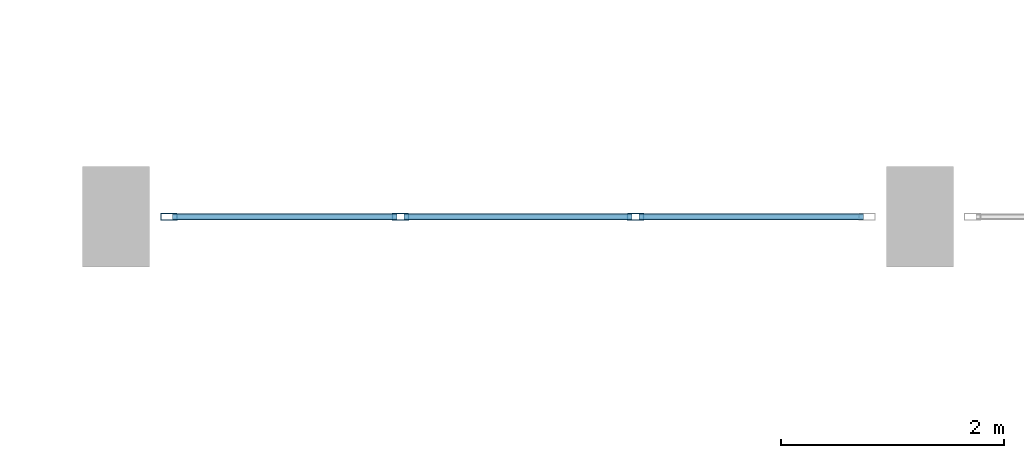
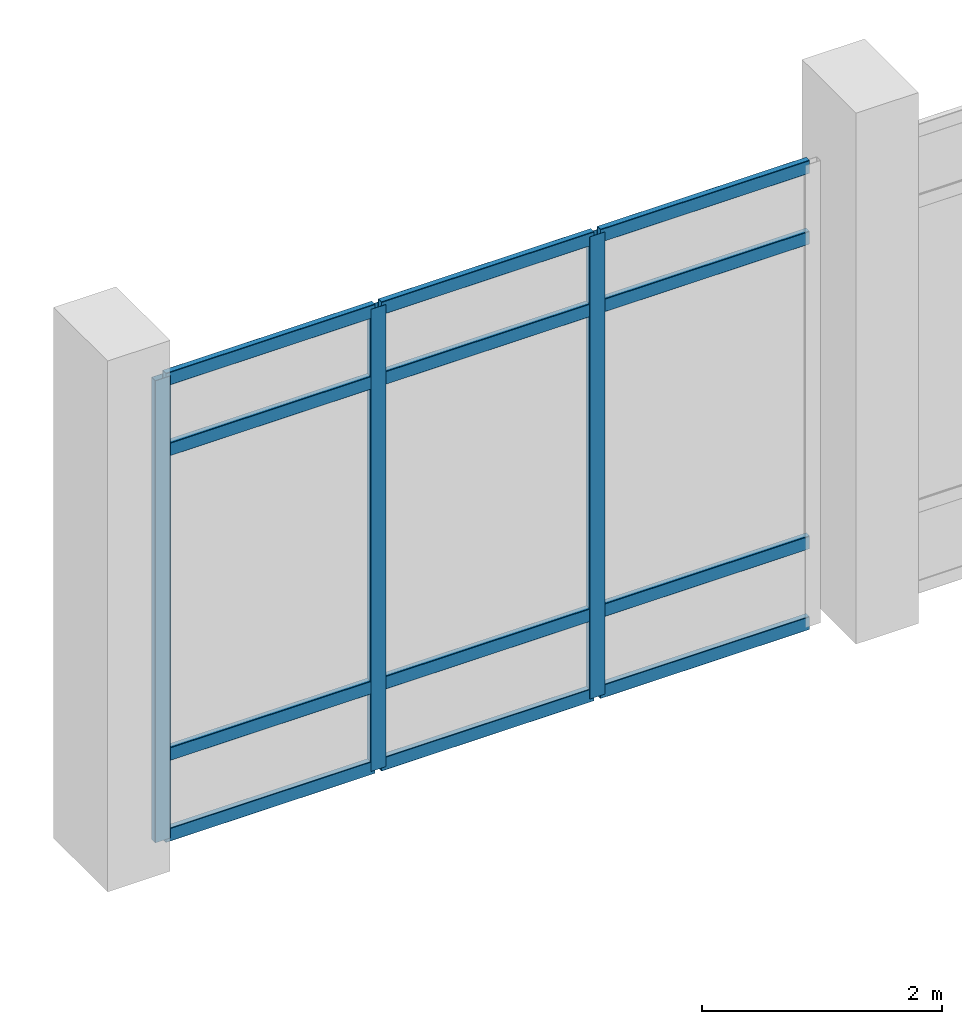
# One storey, part 51 of 180: 15 members, 1 element without a shape of its own.
"""IFC4 building model written with IfcOpenShell, lengths in metres."""

from ifc_helpers import new_model, si_unit, direction, frame, origin, origin_2d, place, context, subcontext, project, spatial, hollow_rectangle, extrude, material, material_profile, profile_set, type_object, element, aggregate, save


model = new_model("IFC4")

# Units and contexts
model_context = context("Model", 3, precision=1e-05, world=origin(), true_north=direction((0.0, 1.0)))
body_context = subcontext(model_context, "Body", "Model", "MODEL_VIEW")
ifc_project = project(units=[si_unit("LENGTHUNIT", "METRE"), si_unit("AREAUNIT", "SQUARE_METRE"), si_unit("VOLUMEUNIT", "CUBIC_METRE"), si_unit("PLANEANGLEUNIT", "RADIAN"), si_unit("MASSUNIT", "GRAM", prefix="KILO")], contexts=[model_context])

# Site, building, storey
site_placement = place(None, origin())
site = spatial("IfcSite", under=ifc_project, at=site_placement, CompositionType="ELEMENT")
building_placement = place(site_placement, origin())
building = spatial("IfcBuilding", under=site, at=building_placement, Name="Lusvemor Sports Hall", CompositionType="ELEMENT")
storey_placement = place(building_placement, frame((0.0, 0.0, 5.39990234375)))
storey = spatial("IfcBuildingStorey", under=building, at=storey_placement, Name="L01", CompositionType="ELEMENT", Elevation=5.39990234375)

# Curtain wall, members
ifc_material_1 = material(Name="Thermally broken bronze-anodized aluminium", Category="aluminium")
curtain_wall_type = type_object("IfcCurtainWallType", Name="CW_COURT_C", PredefinedType="NOTDEFINED", material=ifc_material_1)
curtain_wall_placement = place(storey_placement, origin())
curtain_wall = element("IfcCurtainWall", 1, at=curtain_wall_placement, inside=storey, type_object=curtain_wall_type, Name="Curtain Wall CW-V2N-L01-0", PredefinedType="NOTDEFINED")
ifc_material_2 = material(Name="Thermally broken bronze-anodized aluminium", Category="aluminium")
ifc_material_profile_1 = material_profile(ifc_material_2, hollow_rectangle(XDim=0.06494140625, YDim=0.14990234375, WallThickness=0.00390625, InnerFilletRadius=0.00390625, OuterFilletRadius=0.008056640625, at=origin_2d()), Name="CWMUL150x65x4")
ifc_profile_set_1 = profile_set([ifc_material_profile_1], Name="Thermally broken bronze-anodized aluminium")
member_type_1 = type_object("IfcMemberType", Name="CW_MUL_B", PredefinedType="MULLION", material=ifc_profile_set_1)
member_1_placement = place(storey_placement, frame((119.2724609375, 39.60009765625, 0.0), z_axis=(0.0, 0.0, 1.0), x_axis=(0.0, 1.0, 0.0)))
member_1 = element("IfcMember", 2, at=member_1_placement, type_object=member_type_1, Name="CW03 mullion 1", PredefinedType="MULLION", context=body_context, shape_type="SweptSolid", body=[
    extrude(hollow_rectangle(XDim=0.06494140625, YDim=0.14990234375, WallThickness=0.00390625, InnerFilletRadius=0.00390625, OuterFilletRadius=0.008056640625, at=origin_2d()), origin(), (0.0, 0.0, 1.0), 4.7001953125),
])
member_2_placement = place(storey_placement, frame((121.3466796875, 39.60009765625, 0.0), z_axis=(0.0, 0.0, 1.0), x_axis=(0.0, 1.0, 0.0)))
member_2 = element("IfcMember", 3, at=member_2_placement, type_object=member_type_1, Name="CW03 mullion 2", PredefinedType="MULLION", context=body_context, shape_type="SweptSolid", body=[
    extrude(hollow_rectangle(XDim=0.06494140625, YDim=0.14990234375, WallThickness=0.00390625, InnerFilletRadius=0.00390625, OuterFilletRadius=0.008056640625, at=origin_2d()), origin(), (0.0, 0.0, 1.0), 4.7001953125),
])
member_3_placement = place(storey_placement, frame((123.453369140625, 39.60009765625, 0.0), z_axis=(0.0, 0.0, 1.0), x_axis=(0.0, 1.0, 0.0)))
member_3 = element("IfcMember", 4, at=member_3_placement, type_object=member_type_1, Name="CW03 mullion 3", PredefinedType="MULLION", context=body_context, shape_type="SweptSolid", body=[
    extrude(hollow_rectangle(XDim=0.06494140625, YDim=0.14990234375, WallThickness=0.00390625, InnerFilletRadius=0.00390625, OuterFilletRadius=0.008056640625, at=origin_2d()), origin(), (0.0, 0.0, 1.0), 4.7001953125),
])
ifc_material_3 = material(Name="Thermally broken bronze-anodized aluminium", Category="aluminium")
ifc_material_profile_2 = material_profile(ifc_material_3, hollow_rectangle(XDim=0.06005859375, YDim=0.135009765625, WallThickness=0.00390625, InnerFilletRadius=0.00390625, OuterFilletRadius=0.008056640625, at=origin_2d()), Name="CWTRN135x60x4")
ifc_profile_set_2 = profile_set([ifc_material_profile_2], Name="Thermally broken bronze-anodized aluminium")
member_type_2 = type_object("IfcMemberType", Name="CW_TRN_B", PredefinedType="USERDEFINED", material=ifc_profile_set_2)
member_4_placement = place(storey_placement, frame((119.304931640625, 39.60009765625, 0.030029296875), z_axis=(1.0, 0.0, 0.0), x_axis=(0.0, 1.0, 0.0)))
member_4 = element("IfcMember", 5, at=member_4_placement, type_object=member_type_2, Name="CW03 transom 1.1", ObjectType="TRANSOM", PredefinedType="USERDEFINED", context=body_context, shape_type="SweptSolid", body=[
    extrude(hollow_rectangle(XDim=0.06005859375, YDim=0.135009765625, WallThickness=0.00390625, InnerFilletRadius=0.00390625, OuterFilletRadius=0.008056640625, at=origin_2d()), origin(), (0.0, 0.0, 1.0), 2.00927734375),
])
member_5_placement = place(storey_placement, frame((119.304931640625, 39.60009765625, 0.85009765625), z_axis=(1.0, 0.0, 0.0), x_axis=(0.0, 1.0, 0.0)))
member_5 = element("IfcMember", 6, at=member_5_placement, type_object=member_type_2, Name="CW03 transom 1.2", ObjectType="TRANSOM", PredefinedType="USERDEFINED", context=body_context, shape_type="SweptSolid", body=[
    extrude(hollow_rectangle(XDim=0.06005859375, YDim=0.135009765625, WallThickness=0.00390625, InnerFilletRadius=0.00390625, OuterFilletRadius=0.008056640625, at=origin_2d()), origin(), (0.0, 0.0, 1.0), 2.00927734375),
])
member_6_placement = place(storey_placement, frame((119.304931640625, 39.60009765625, 3.9501953125), z_axis=(1.0, 0.0, 0.0), x_axis=(0.0, 1.0, 0.0)))
member_6 = element("IfcMember", 7, at=member_6_placement, type_object=member_type_2, Name="CW03 transom 1.3", ObjectType="TRANSOM", PredefinedType="USERDEFINED", context=body_context, shape_type="SweptSolid", body=[
    extrude(hollow_rectangle(XDim=0.06005859375, YDim=0.135009765625, WallThickness=0.00390625, InnerFilletRadius=0.00390625, OuterFilletRadius=0.008056640625, at=origin_2d()), origin(), (0.0, 0.0, 1.0), 2.00927734375),
])
member_7_placement = place(storey_placement, frame((119.304931640625, 39.60009765625, 4.670166015625), z_axis=(1.0, 0.0, 0.0), x_axis=(0.0, 1.0, 0.0)))
member_7 = element("IfcMember", 8, at=member_7_placement, type_object=member_type_2, Name="CW03 transom 1.4", ObjectType="TRANSOM", PredefinedType="USERDEFINED", context=body_context, shape_type="SweptSolid", body=[
    extrude(hollow_rectangle(XDim=0.06005859375, YDim=0.135009765625, WallThickness=0.00390625, InnerFilletRadius=0.00390625, OuterFilletRadius=0.008056640625, at=origin_2d()), origin(), (0.0, 0.0, 1.0), 2.00927734375),
])
member_8_placement = place(storey_placement, frame((121.379150390625, 39.60009765625, 0.030029296875), z_axis=(1.0, 0.0, 0.0), x_axis=(0.0, 1.0, 0.0)))
member_8 = element("IfcMember", 9, at=member_8_placement, type_object=member_type_2, Name="CW03 transom 2.1", ObjectType="TRANSOM", PredefinedType="USERDEFINED", context=body_context, shape_type="SweptSolid", body=[
    extrude(hollow_rectangle(XDim=0.06005859375, YDim=0.135009765625, WallThickness=0.00390625, InnerFilletRadius=0.00390625, OuterFilletRadius=0.008056640625, at=origin_2d()), origin(), (0.0, 0.0, 1.0), 2.041748046875),
])
member_9_placement = place(storey_placement, frame((121.379150390625, 39.60009765625, 0.85009765625), z_axis=(1.0, 0.0, 0.0), x_axis=(0.0, 1.0, 0.0)))
member_9 = element("IfcMember", 10, at=member_9_placement, type_object=member_type_2, Name="CW03 transom 2.2", ObjectType="TRANSOM", PredefinedType="USERDEFINED", context=body_context, shape_type="SweptSolid", body=[
    extrude(hollow_rectangle(XDim=0.06005859375, YDim=0.135009765625, WallThickness=0.00390625, InnerFilletRadius=0.00390625, OuterFilletRadius=0.008056640625, at=origin_2d()), origin(), (0.0, 0.0, 1.0), 2.041748046875),
])
member_10_placement = place(storey_placement, frame((121.379150390625, 39.60009765625, 3.9501953125), z_axis=(1.0, 0.0, 0.0), x_axis=(0.0, 1.0, 0.0)))
member_10 = element("IfcMember", 11, at=member_10_placement, type_object=member_type_2, Name="CW03 transom 2.3", ObjectType="TRANSOM", PredefinedType="USERDEFINED", context=body_context, shape_type="SweptSolid", body=[
    extrude(hollow_rectangle(XDim=0.06005859375, YDim=0.135009765625, WallThickness=0.00390625, InnerFilletRadius=0.00390625, OuterFilletRadius=0.008056640625, at=origin_2d()), origin(), (0.0, 0.0, 1.0), 2.041748046875),
])
member_11_placement = place(storey_placement, frame((121.379150390625, 39.60009765625, 4.670166015625), z_axis=(1.0, 0.0, 0.0), x_axis=(0.0, 1.0, 0.0)))
member_11 = element("IfcMember", 12, at=member_11_placement, type_object=member_type_2, Name="CW03 transom 2.4", ObjectType="TRANSOM", PredefinedType="USERDEFINED", context=body_context, shape_type="SweptSolid", body=[
    extrude(hollow_rectangle(XDim=0.06005859375, YDim=0.135009765625, WallThickness=0.00390625, InnerFilletRadius=0.00390625, OuterFilletRadius=0.008056640625, at=origin_2d()), origin(), (0.0, 0.0, 1.0), 2.041748046875),
])
member_12_placement = place(storey_placement, frame((123.48583984375, 39.60009765625, 0.030029296875), z_axis=(1.0, 0.0, 0.0), x_axis=(0.0, 1.0, 0.0)))
member_12 = element("IfcMember", 13, at=member_12_placement, type_object=member_type_2, Name="CW03 transom 3.1", ObjectType="TRANSOM", PredefinedType="USERDEFINED", context=body_context, shape_type="SweptSolid", body=[
    extrude(hollow_rectangle(XDim=0.06005859375, YDim=0.135009765625, WallThickness=0.00390625, InnerFilletRadius=0.00390625, OuterFilletRadius=0.008056640625, at=origin_2d()), origin(), (0.0, 0.0, 1.0), 2.00927734375),
])
member_13_placement = place(storey_placement, frame((123.48583984375, 39.60009765625, 0.85009765625), z_axis=(1.0, 0.0, 0.0), x_axis=(0.0, 1.0, 0.0)))
member_13 = element("IfcMember", 14, at=member_13_placement, type_object=member_type_2, Name="CW03 transom 3.2", ObjectType="TRANSOM", PredefinedType="USERDEFINED", context=body_context, shape_type="SweptSolid", body=[
    extrude(hollow_rectangle(XDim=0.06005859375, YDim=0.135009765625, WallThickness=0.00390625, InnerFilletRadius=0.00390625, OuterFilletRadius=0.008056640625, at=origin_2d()), origin(), (0.0, 0.0, 1.0), 2.00927734375),
])
member_14_placement = place(storey_placement, frame((123.48583984375, 39.60009765625, 3.9501953125), z_axis=(1.0, 0.0, 0.0), x_axis=(0.0, 1.0, 0.0)))
member_14 = element("IfcMember", 15, at=member_14_placement, type_object=member_type_2, Name="CW03 transom 3.3", ObjectType="TRANSOM", PredefinedType="USERDEFINED", context=body_context, shape_type="SweptSolid", body=[
    extrude(hollow_rectangle(XDim=0.06005859375, YDim=0.135009765625, WallThickness=0.00390625, InnerFilletRadius=0.00390625, OuterFilletRadius=0.008056640625, at=origin_2d()), origin(), (0.0, 0.0, 1.0), 2.00927734375),
])
member_15_placement = place(storey_placement, frame((123.48583984375, 39.60009765625, 4.670166015625), z_axis=(1.0, 0.0, 0.0), x_axis=(0.0, 1.0, 0.0)))
member_15 = element("IfcMember", 16, at=member_15_placement, type_object=member_type_2, Name="CW03 transom 3.4", ObjectType="TRANSOM", PredefinedType="USERDEFINED", context=body_context, shape_type="SweptSolid", body=[
    extrude(hollow_rectangle(XDim=0.06005859375, YDim=0.135009765625, WallThickness=0.00390625, InnerFilletRadius=0.00390625, OuterFilletRadius=0.008056640625, at=origin_2d()), origin(), (0.0, 0.0, 1.0), 2.00927734375),
])
aggregate(curtain_wall, [member_1, member_2, member_3, member_4, member_5, member_6, member_7, member_8, member_9, member_10, member_11, member_12, member_13, member_14, member_15])

save(model, "model.ifc")
